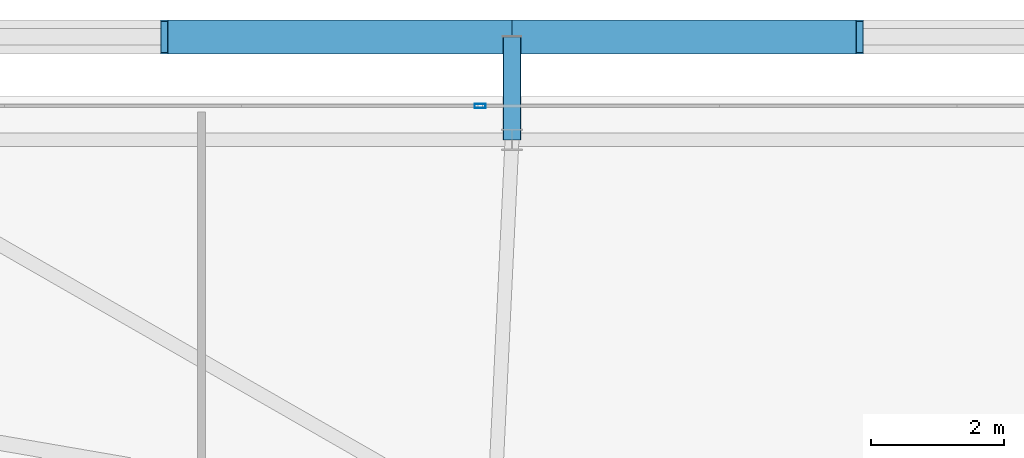
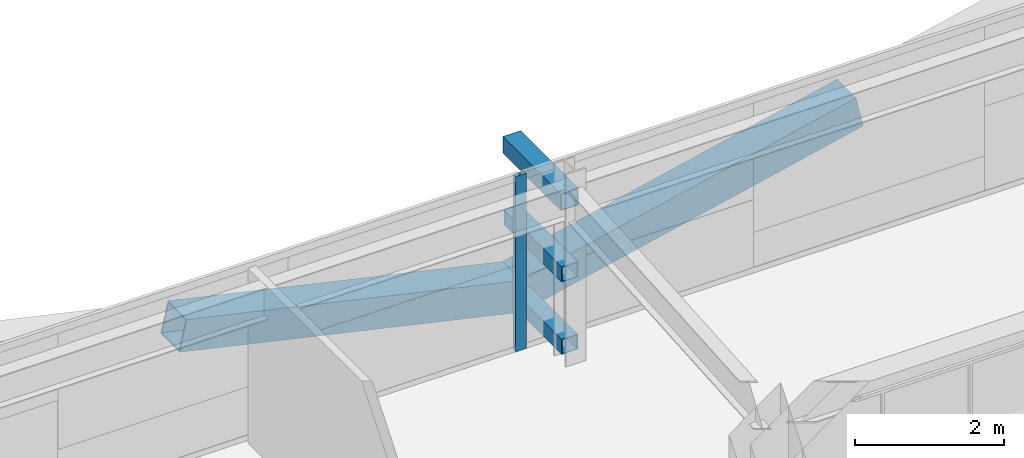
# One storey, part 23 of 45: 6 members, 1 element without a shape of its own.
"""IFC4 building model written with IfcOpenShell, lengths in metres."""

from ifc_helpers import new_model, si_unit, direction, frame, origin, origin_2d, place, context, subcontext, project, spatial, hollow_rectangle, extrude, source, transform, mapped, material, layer, layer_set, material_profile, profile_set, type_object, element, aggregate, save


model = new_model("IFC4")

# Units and contexts
model_context = context("Model", 3, precision=1e-05, world=origin(), true_north=direction((0.0, 1.0)))
body_context = subcontext(model_context, "Body", "Model", "MODEL_VIEW")
ifc_project = project(units=[si_unit("LENGTHUNIT", "METRE"), si_unit("AREAUNIT", "SQUARE_METRE"), si_unit("VOLUMEUNIT", "CUBIC_METRE"), si_unit("PLANEANGLEUNIT", "RADIAN"), si_unit("MASSUNIT", "GRAM", prefix="KILO")], contexts=[model_context])

# Site, building, storey
site_placement = place(None, origin())
site = spatial("IfcSite", under=ifc_project, at=site_placement, CompositionType="ELEMENT")
building_placement = place(site_placement, origin())
building = spatial("IfcBuilding", under=site, at=building_placement, Name="Taldren Reach Tower", CompositionType="ELEMENT")
storey_placement = place(building_placement, frame((0.0, 0.0, 57.75)))
storey = spatial("IfcBuildingStorey", under=building, at=storey_placement, Name="L17", CompositionType="ELEMENT", Elevation=57.75)

# Members
ifc_material_1 = material(Name="Steel Gr 450 (C450L0)", Category="steel")
ifc_material_profile_1 = material_profile(ifc_material_1, hollow_rectangle(XDim=0.27490234375, YDim=0.27490234375, WallThickness=0.00927734375, at=origin_2d()), Name="275x275x9.3SHS")
ifc_profile_set_1 = profile_set([ifc_material_profile_1], Name="Steel Gr 450 (C450L0)")
member_type_1 = type_object("IfcMemberType", Name="MB-TIE273", PredefinedType="STRUT", material=ifc_profile_set_1)
shared_shape_1 = source(origin(), body_context, "Body", "SweptSolid", [
    extrude(hollow_rectangle(XDim=0.27490234375, YDim=0.27490234375, WallThickness=0.00927734375, at=origin_2d()), origin(), (0.0, 0.0, 1.0), 1.5498046875),
])
member_1_placement = place(storey_placement, frame((19.280029296875, 37.85009765625, 2.590087890625), z_axis=(0.0, 1.0, 0.0), x_axis=(-1.0, 0.0, 0.0)))
element("IfcMember", 1, at=member_1_placement, inside=storey, type_object=member_type_1, Name="Exoskeleton diaphragm tie strut B1-N2 L17", PredefinedType="STRUT", context=body_context, shape_type="MappedRepresentation", body=[
    mapped(shared_shape_1, transform((0.0, 0.0, 0.0), scale=1.0)),
])
ifc_material_2 = material(Name="Steel Gr 350 (C350L0)", Category="steel")
ifc_material_profile_2 = material_profile(ifc_material_2, hollow_rectangle(XDim=0.25, YDim=0.25, WallThickness=0.010009765625, at=origin_2d()), Name="250x250x10.0SHS")
ifc_profile_set_2 = profile_set([ifc_material_profile_2], Name="Steel Gr 350 (C350L0)")
member_type_2 = type_object("IfcMemberType", Name="MB-POST250", PredefinedType="POST", material=ifc_profile_set_2)
shared_shape_2 = source(origin(), body_context, "Body", "SweptSolid", [
    extrude(hollow_rectangle(XDim=0.25, YDim=0.25, WallThickness=0.010009765625, at=origin_2d()), origin(), (0.0, 0.0, 1.0), 1.5498046875),
])
for number, where, z_axis, x_axis, name in (
    (2, (19.280029296875, 37.85009765625, 0.219970703125), (0.0, 1.0, 0.0), (-1.0, 0.0, 0.0), "Exoskeleton base diaphragm tie strut B1-N2 L17"),
    (3, (19.280029296875, 37.85009765625, 1.405029296875), (0.0, 1.0, 0.0), (-1.0, 0.0, 0.0), "Exoskeleton mid-tier diaphragm tie B1-N2 L17"),
):
    element("IfcMember", number, at=place(storey_placement, frame(where, z_axis=z_axis, x_axis=x_axis)), inside=storey, type_object=member_type_2, Name=name, PredefinedType="POST", context=body_context, shape_type="MappedRepresentation", body=[
        mapped(shared_shape_2, transform((0.0, 0.0, 0.0), scale=1.0)),
    ])
ifc_material_profile_3 = material_profile(ifc_material_1, hollow_rectangle(XDim=0.510009765625, YDim=0.510009765625, WallThickness=0.02001953125, at=origin_2d()), Name="510x510x20.0SHS")
ifc_profile_set_3 = profile_set([ifc_material_profile_3], Name="Steel Gr 450 (C450L0)")
member_type_3 = type_object("IfcMemberType", Name="MB-EXO508", PredefinedType="BRACE", material=ifc_profile_set_3)
shared_shape_3 = source(origin(), body_context, "Body", "SweptSolid", [
    extrude(hollow_rectangle(XDim=0.510009765625, YDim=0.510009765625, WallThickness=0.02001953125, at=origin_2d()), origin(), (0.0, 0.0, 1.0), 5.372314453125),
])
for number, where, z_axis, x_axis, name in (
    (4, (19.280029296875, 39.39990234375, 0.219970703125), (-0.975367562392, 0.0, 0.220585852297), (0.0, -1.0, 0.0), "Exoskeleton Diagrid Brace B1-N1 L17"),
    (5, (19.280029296875, 39.39990234375, 0.219970703125), (0.975367562392, 0.0, 0.220585852297), (0.0, 1.0, 0.0), "Exoskeleton Diagrid Brace B1-N2 L17"),
):
    element("IfcMember", number, at=place(storey_placement, frame(where, z_axis=z_axis, x_axis=x_axis)), inside=storey, type_object=member_type_3, Name=name, PredefinedType="BRACE", context=body_context, shape_type="MappedRepresentation", body=[
        mapped(shared_shape_3, transform((0.0, 0.0, 0.0), scale=1.0)),
    ])

# Curtain wall, member
ifc_material_3 = material(Name="Aluminium and Low-E Glass Unitised System", Category="aluminium")
ifc_layer = layer(ifc_material_3, 0.159912109375)
ifc_layer_set = layer_set([ifc_layer], Name="Aluminium and Low-E Glass Unitised System")
curtain_wall_type = type_object("IfcCurtainWallType", Name="CW-SYS-2", PredefinedType="NOTDEFINED", material=ifc_layer_set)
curtain_wall_placement = place(storey_placement, origin())
curtain_wall = element("IfcCurtainWall", 6, at=curtain_wall_placement, inside=storey, type_object=curtain_wall_type, Name="Unitised curtain wall CW-L17-N", PredefinedType="NOTDEFINED")
ifc_material_4 = material(Name="Anodised Aluminium 6063-T6", Category="aluminium")
ifc_material_profile_4 = material_profile(ifc_material_4, hollow_rectangle(XDim=0.06494140625, YDim=0.1650390625, WallThickness=0.00390625, at=origin_2d()), Name="ALU-165x65x4RHS")
ifc_profile_set_4 = profile_set([ifc_material_profile_4], Name="Anodised Aluminium 6063-T6")
member_type_4 = type_object("IfcMemberType", Name="CW-MUL-165", PredefinedType="MULLION", material=ifc_profile_set_4)
shared_shape_4 = source(origin(), body_context, "Body", "SweptSolid", [
    extrude(hollow_rectangle(XDim=0.06494140625, YDim=0.1650390625, WallThickness=0.00390625, at=origin_2d()), origin(), (0.0, 0.0, 1.0), 2.8701171875),
])
member_2_placement = place(storey_placement, frame((18.800048828125, 38.360107421875, 0.0), z_axis=(0.0, 0.0, 1.0), x_axis=(0.0, -1.0, 0.0)))
member_2 = element("IfcMember", 7, at=member_2_placement, type_object=member_type_4, Name="CW-2 mullion 5", PredefinedType="MULLION", context=body_context, shape_type="MappedRepresentation", body=[
    mapped(shared_shape_4, transform((0.0, 0.0, 0.0), scale=1.0)),
])
aggregate(curtain_wall, [member_2])

save(model, "model.ifc")
